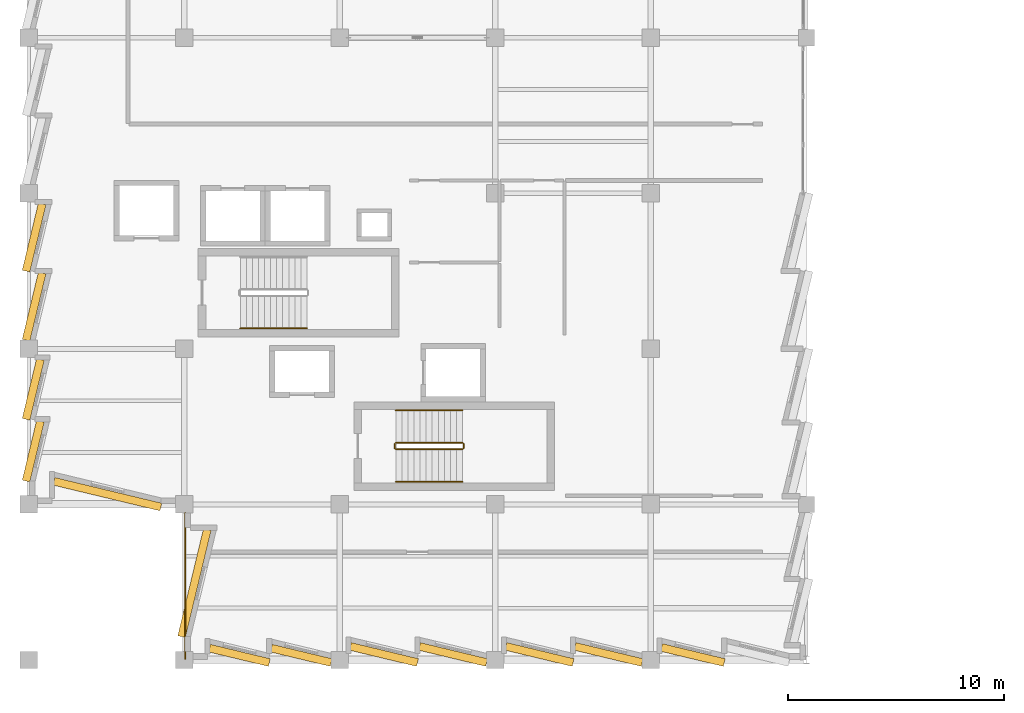
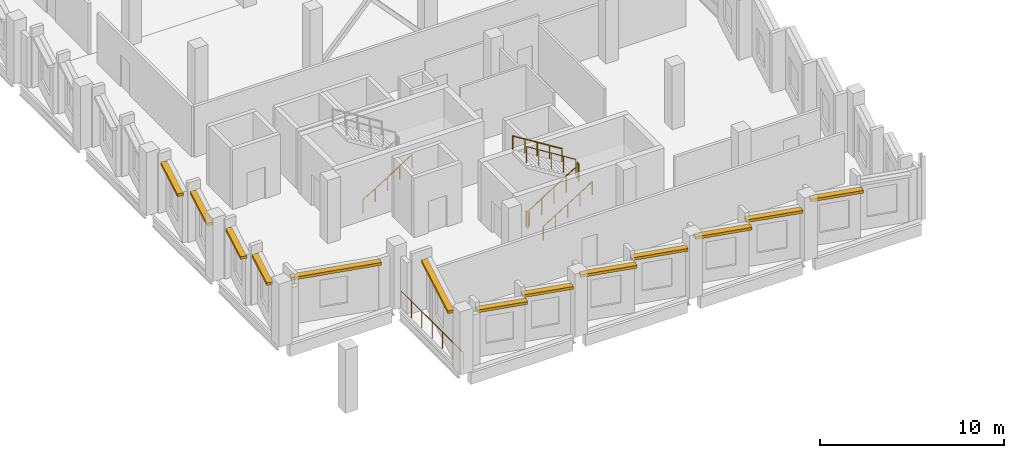
# One storey, part 81 of 94: 13 shading devices, 8 railings.
"""IFC4 building model written with IfcOpenShell, lengths in metres."""

import ifcopenshell
import ifcopenshell.guid

model = None  # the IFC model being written
_history = None  # IfcOwnerHistory: only IFC2X3 demands one
_inside = {}  # id of a spatial element -> (the spatial element, [elements in it])
_under = {}  # id of a project, library or spatial element -> (it, [spatial elements below it])
_declared = {}  # id of a project -> (the project, [libraries it declares])
_typed = {}  # id of a type object -> (the type object, [elements of that type])
_made_of = {}  # id of a material, layer set ... -> (it, [elements and type objects made of it])


def new_model(schema):
    """Start an empty IFC model of exactly this schema.

    Asked for "IFC4X3", IfcOpenShell would pick the latest addendum, in which some entities
    have other attributes; the version numbers below select the first issue.
    IFC2X3 requires an IfcOwnerHistory on every rooted entity: one is made here for all.
    """
    global model, _history
    if schema == "IFC4X3":
        model = ifcopenshell.file(schema_version=(4, 3, 0, 0))
    else:
        model = ifcopenshell.file(schema=schema)
    _inside.clear()
    _under.clear()
    _declared.clear()
    _typed.clear()
    _made_of.clear()
    _history = None
    if model.schema == "IFC2X3":
        org = make("IfcOrganization", Name="unknown")
        user = make(
            "IfcPersonAndOrganization",
            ThePerson=make("IfcPerson", FamilyName="unknown"),
            TheOrganization=org,
        )
        app = make(
            "IfcApplication",
            ApplicationDeveloper=org,
            Version="unknown",
            ApplicationFullName="unknown",
            ApplicationIdentifier="unknown",
        )
        _history = make(
            "IfcOwnerHistory",
            OwningUser=user,
            OwningApplication=app,
            ChangeAction="ADDED",
            CreationDate=0,
        )
    return model


def make(cls, **values):
    """One entity of the class cls with the attributes given. An attribute that is None is left unset."""
    return model.create_entity(
        cls, **{name: value for name, value in values.items() if value is not None}
    )


def rooted(cls, **values):
    """An entity with a GlobalId (a new one), such as an element, a storey or a relation."""
    return make(cls, GlobalId=ifcopenshell.guid.new(), OwnerHistory=_history, **values)


def si_unit(unit_type, name, prefix=None):
    """IfcSIUnit, for example si_unit("LENGTHUNIT", "METRE", prefix="MILLI")."""
    return make("IfcSIUnit", UnitType=unit_type, Prefix=prefix, Name=name)


def assignment(units):
    """IfcUnitAssignment: the units of a project."""
    return None if units is None else make("IfcUnitAssignment", Units=units)


def point(xyz):
    """IfcCartesianPoint."""
    return None if xyz is None else make("IfcCartesianPoint", Coordinates=xyz)


def direction(xyz):
    """IfcDirection."""
    return None if xyz is None else make("IfcDirection", DirectionRatios=xyz)


def frame(location, z_axis=None, x_axis=None):
    """IfcAxis2Placement3D, a coordinate frame: its origin and axes. An axis left out is left unset."""
    return make(
        "IfcAxis2Placement3D",
        Location=point(location),
        Axis=direction(z_axis),
        RefDirection=direction(x_axis),
    )


def frame_2d(location, x_axis=None):
    """IfcAxis2Placement2D, a coordinate frame in the plane: its origin and x axis."""
    return make(
        "IfcAxis2Placement2D", Location=point(location), RefDirection=direction(x_axis)
    )


def origin():
    """The frame at (0, 0, 0) with its axes left unset."""
    return frame((0.0, 0.0, 0.0))


def origin_2d():
    """The frame at (0, 0) in the plane with its x axis left unset."""
    return frame_2d((0.0, 0.0))


def place(relative_to, where):
    """IfcLocalPlacement: puts the frame where relative to a parent placement (None: the world)."""
    return make(
        "IfcLocalPlacement", PlacementRelTo=relative_to, RelativePlacement=where
    )


def context(
    kind, dimensions, precision=None, world=None, true_north=None, identifier=None
):
    """IfcGeometricRepresentationContext, for example the 3D "Model" context."""
    return make(
        "IfcGeometricRepresentationContext",
        ContextIdentifier=identifier,
        ContextType=kind,
        CoordinateSpaceDimension=dimensions,
        Precision=precision,
        WorldCoordinateSystem=world,
        TrueNorth=true_north,
    )


def subcontext(parent, identifier, kind, view, scale=None):
    """IfcGeometricRepresentationSubContext, for example "Body" below "Model"."""
    return make(
        "IfcGeometricRepresentationSubContext",
        ContextIdentifier=identifier,
        ContextType=kind,
        ParentContext=parent,
        TargetScale=scale,
        TargetView=view,
    )


def project(units=None, contexts=None):
    """IfcProject with its units and contexts."""
    return rooted(
        "IfcProject",
        Name="project",
        RepresentationContexts=contexts,
        UnitsInContext=assignment(units),
    )


def spatial(cls, under=None, at=None, **own):
    """A site, building, storey or space (cls), placed at a placement, below another one or the project."""
    s = rooted(cls, ObjectPlacement=at, **own)
    if under is not None:
        _under.setdefault(under.id(), (under, []))[1].append(s)
    return s


def profile(cls, at=None, kind="AREA", **sizes):
    """A parametric profile (cls). Its sizes go by their IFC names, for example OverallWidth=200.0."""
    return make(cls, ProfileType=kind, Position=at, **sizes)


def rectangle(**sizes):
    """IfcRectangleProfileDef."""
    return profile("IfcRectangleProfileDef", **sizes)


def circle(**sizes):
    """IfcCircleProfileDef."""
    return profile("IfcCircleProfileDef", **sizes)


def extrude(swept, where, along, depth):
    """IfcExtrudedAreaSolid: the profile swept, set in the frame where, extruded along a direction by depth."""
    return make(
        "IfcExtrudedAreaSolid",
        SweptArea=swept,
        Position=where,
        ExtrudedDirection=direction(along),
        Depth=depth,
    )


def shape(context_of_items, identifier, shape_type, items):
    """IfcShapeRepresentation: the items that make up one representation, for example the "Body"."""
    return make(
        "IfcShapeRepresentation",
        ContextOfItems=context_of_items,
        RepresentationIdentifier=identifier,
        RepresentationType=shape_type,
        Items=items,
    )


def material(Name=None, Category=None):
    """IfcMaterial."""
    return make("IfcMaterial", Name=Name, Category=Category)


def layer(
    of_material, thickness, ventilated=None, Name=None, Category=None, Priority=None
):
    """IfcMaterialLayer: one layer of a wall or slab, of a material (None: an air gap)."""
    return make(
        "IfcMaterialLayer",
        Material=of_material,
        LayerThickness=thickness,
        IsVentilated=ventilated,
        Name=Name,
        Category=Category,
        Priority=Priority,
    )


def layer_set(layers, Name=None):
    """IfcMaterialLayerSet."""
    return make("IfcMaterialLayerSet", MaterialLayers=layers, LayerSetName=Name)


def made_of(thing, what):
    """Note that an element or type object is made of a material, layer set ...; save() writes the relation."""
    if what is not None:
        _made_of.setdefault(what.id(), (what, []))[1].append(thing)
    return thing


def type_object(cls, material=None, **own):
    """A type object (cls), such as IfcWallType, which elements share."""
    return made_of(rooted(cls, **own), material)


def element(
    cls,
    number,
    at=None,
    inside=None,
    cuts=None,
    type_object=None,
    material=None,
    context=None,
    identifier="Body",
    shape_type=None,
    held_by="IfcProductDefinitionShape",
    body=None,
    shapes=None,
    **own,
):
    """One element of the class cls, such as IfcWall. Its Tag is "e" and its number.

    at: its placement. inside: the storey or other place that contains it. cuts: it is an
    opening in that element (IfcRelVoidsElement). A single representation is given by context,
    identifier, shape_type and body (its items); several are given by shapes. held_by: the class
    of the entity that holds the representations. save() writes the other relations.
    """
    e = rooted(cls, Tag="e%d" % number, ObjectPlacement=at, **own)
    if body is not None:
        shapes = [shape(context, identifier, shape_type, body)]
    if shapes is not None:
        e.Representation = make(held_by, Representations=shapes)
    if inside is not None:
        _inside.setdefault(inside.id(), (inside, []))[1].append(e)
    if cuts is not None:
        rooted(
            "IfcRelVoidsElement", RelatingBuildingElement=cuts, RelatedOpeningElement=e
        )
    if type_object is not None:
        _typed.setdefault(type_object.id(), (type_object, []))[1].append(e)
    return made_of(e, material)


def aggregate(whole, parts):
    """IfcRelAggregates: a whole, such as a stair, and the parts it consists of."""
    return rooted("IfcRelAggregates", RelatingObject=whole, RelatedObjects=parts)


def save(model, path):
    """Write the relations noted so far, then the file.

    IfcRelAggregates (storeys below a building ...), IfcRelContainedInSpatialStructure (elements
    in a storey), IfcRelDefinesByType, IfcRelAssociatesMaterial and IfcRelDeclares: one each for
    every whole, place, type object, material and project.
    """
    for whole, parts in _under.values():
        aggregate(whole, parts)
    for where, things in _inside.values():
        rooted(
            "IfcRelContainedInSpatialStructure",
            RelatedElements=things,
            RelatingStructure=where,
        )
    for kind, things in _typed.values():
        rooted("IfcRelDefinesByType", RelatedObjects=things, RelatingType=kind)
    for what, things in _made_of.values():
        rooted("IfcRelAssociatesMaterial", RelatedObjects=things, RelatingMaterial=what)
    for by, libraries in _declared.values():
        rooted("IfcRelDeclares", RelatingContext=by, RelatedDefinitions=libraries)
    model.write(path)


model = new_model("IFC4")

# Units and contexts
model_context = context("Model", 3, precision=1e-05, world=origin(), true_north=direction((0.0, 1.0)))
body_context = subcontext(model_context, "Body", "Model", "MODEL_VIEW")
ifc_project = project(units=[si_unit("LENGTHUNIT", "METRE"), si_unit("AREAUNIT", "SQUARE_METRE"), si_unit("VOLUMEUNIT", "CUBIC_METRE"), si_unit("PLANEANGLEUNIT", "RADIAN"), si_unit("MASSUNIT", "GRAM", prefix="KILO")], contexts=[model_context])

# Site, building, storey
site_placement = place(None, origin())
site = spatial("IfcSite", under=ifc_project, at=site_placement, CompositionType="ELEMENT")
building_placement = place(site_placement, origin())
building = spatial("IfcBuilding", under=site, at=building_placement, Name="Kalmorath City Hall", CompositionType="ELEMENT")
storey_placement = place(building_placement, frame((0.0, 0.0, 14.699951171875)))
storey = spatial("IfcBuildingStorey", under=building, at=storey_placement, Name="L03", CompositionType="ELEMENT", Elevation=14.699951171875)

# Railing
ifc_material_1 = material(Name="Stainless steel and laminated glass", Category="steel")
railing_type_1 = type_object("IfcRailingType", Name="Outdoor terrace balustrade 1120", PredefinedType="BALUSTRADE", material=ifc_material_1)
railing_1_placement = place(storey_placement, frame((7.25, 0.050048828125, 0.0)))
element("IfcRailing", 1, at=railing_1_placement, inside=storey, type_object=railing_type_1, Name="L03 Southwest Overlook Balustrade #1", PredefinedType="BALUSTRADE", context=body_context, shape_type="SweptSolid", body=[
    extrude(circle(Radius=0.02392578125, at=origin_2d()), frame((0.0, 0.0, 1.09619140625), z_axis=(0.0, 1.0, 0.0), x_axis=(-1.0, 0.0, 0.0)), (0.0, 0.0, 1.0), 6.739990234375),
    extrude(circle(Radius=0.02099609375, at=origin_2d()), origin(), (0.0, 0.0, 1.0), 1.072021484375),
    extrude(circle(Radius=0.02099609375, at=origin_2d()), frame((0.0, 1.123291015625, 0.0)), (0.0, 0.0, 1.0), 1.072021484375),
    extrude(circle(Radius=0.02099609375, at=origin_2d()), frame((0.0, 2.24658203125, 0.0)), (0.0, 0.0, 1.0), 1.072021484375),
    extrude(circle(Radius=0.02099609375, at=origin_2d()), frame((0.0, 3.3701171875, 0.0)), (0.0, 0.0, 1.0), 1.072021484375),
    extrude(circle(Radius=0.02099609375, at=origin_2d()), frame((0.0, 4.493408203125, 0.0)), (0.0, 0.0, 1.0), 1.072021484375),
    extrude(circle(Radius=0.02099609375, at=origin_2d()), frame((0.0, 5.61669921875, 0.0)), (0.0, 0.0, 1.0), 1.072021484375),
    extrude(circle(Radius=0.02099609375, at=origin_2d()), frame((0.0, 6.739990234375, 0.0)), (0.0, 0.0, 1.0), 1.072021484375),
])

# Shading devices
ifc_material_2 = material(Name="Precast concrete C40/50", Category="concrete")
ifc_layer = layer(ifc_material_2, 0.179931640625)
ifc_layer_set = layer_set([ifc_layer], Name="Precast concrete C40/50")
shading_device_type = type_object("IfcShadingDeviceType", Name="Precast sawtooth brow sunshade 350", PredefinedType="USERDEFINED", material=ifc_layer_set)
for number, where, z_axis, x_axis, name in (
    (2, (0.212158203125, 9.664306640625, 3.15625), (0.0, 0.0, 1.0), (0.233445363856, 0.972369920398, 0.0), "L03 precast sawtooth hood #284"),
    (3, (0.212158203125, 12.523193359375, 3.15625), (0.0, 0.0, 1.0), (0.233445363856, 0.972369920398, 0.0), "L03 precast sawtooth hood #285"),
):
    element("IfcShadingDevice", number, at=place(storey_placement, frame(where, z_axis=z_axis, x_axis=x_axis)), inside=storey, type_object=shading_device_type, Name=name, ObjectType="SUNSHADE", PredefinedType="USERDEFINED", context=body_context, shape_type="SweptSolid", body=[
        extrude(rectangle(XDim=2.84521484375, YDim=0.360107421875, at=origin_2d()), origin(), (0.0, 0.0, 1.0), 0.179931640625),
    ])
for number, where, z_axis, x_axis, name in (
    (4, (0.2529296875, 16.354248046875, 3.15625), (0.0, 0.0, 1.0), (0.233445363856, 0.972369920398, 0.0), "L03 precast sawtooth hood #286"),
    (5, (0.2529296875, 19.55322265625, 3.15625), (0.0, 0.0, 1.0), (0.233445363856, 0.972369920398, 0.0), "L03 precast sawtooth hood #287"),
):
    element("IfcShadingDevice", number, at=place(storey_placement, frame(where, z_axis=z_axis, x_axis=x_axis)), inside=storey, type_object=shading_device_type, Name=name, ObjectType="SUNSHADE", PredefinedType="USERDEFINED", context=body_context, shape_type="SweptSolid", body=[
        extrude(rectangle(XDim=3.19482421875, YDim=0.360107421875, at=origin_2d()), origin(), (0.0, 0.0, 1.0), 0.179931640625),
    ])
shading_device_placement = place(storey_placement, frame((30.744873046875, 0.228515625, 3.15625), z_axis=(0.0, 0.0, 1.0), x_axis=(-0.972365845859, 0.233462334877, 0.0)))
element("IfcShadingDevice", 6, at=shading_device_placement, inside=storey, type_object=shading_device_type, Name="L03 precast sawtooth hood #356", ObjectType="SUNSHADE", PredefinedType="USERDEFINED", context=body_context, shape_type="SweptSolid", body=[
    extrude(rectangle(XDim=2.985595703125, YDim=0.360107421875, at=origin_2d()), origin(), (0.0, 0.0, 1.0), 0.179931640625),
])
for number, where, z_axis, x_axis, name in (
    (7, (26.845703125, 0.2529296875, 3.15625), (0.0, 0.0, 1.0), (-0.972369920398, 0.233445363856, 0.0), "L03 precast sawtooth hood #357"),
    (8, (23.646728515625, 0.2529296875, 3.15625), (0.0, 0.0, 1.0), (-0.972369920398, 0.233445363856, 0.0), "L03 precast sawtooth hood #358"),
    (9, (19.645751953125, 0.2529296875, 3.15625), (0.0, 0.0, 1.0), (-0.972369920398, 0.233445363856, 0.0), "L03 precast sawtooth hood #359"),
    (10, (16.44677734375, 0.2529296875, 3.15625), (0.0, 0.0, 1.0), (-0.972369920398, 0.233445363856, 0.0), "L03 precast sawtooth hood #360"),
):
    element("IfcShadingDevice", number, at=place(storey_placement, frame(where, z_axis=z_axis, x_axis=x_axis)), inside=storey, type_object=shading_device_type, Name=name, ObjectType="SUNSHADE", PredefinedType="USERDEFINED", context=body_context, shape_type="SweptSolid", body=[
        extrude(rectangle(XDim=3.19482421875, YDim=0.360107421875, at=origin_2d()), origin(), (0.0, 0.0, 1.0), 0.179931640625),
    ])
for number, where, z_axis, x_axis, name in (
    (11, (12.61572265625, 0.212158203125, 3.15625), (0.0, 0.0, 1.0), (-0.972369920398, 0.233445363856, 0.0), "L03 precast sawtooth hood #361"),
    (12, (9.756591796875, 0.212158203125, 3.15625), (0.0, 0.0, 1.0), (-0.972369920398, 0.233445363856, 0.0), "L03 precast sawtooth hood #362"),
):
    element("IfcShadingDevice", number, at=place(storey_placement, frame(where, z_axis=z_axis, x_axis=x_axis)), inside=storey, type_object=shading_device_type, Name=name, ObjectType="SUNSHADE", PredefinedType="USERDEFINED", context=body_context, shape_type="SweptSolid", body=[
        extrude(rectangle(XDim=2.84521484375, YDim=0.360107421875, at=origin_2d()), origin(), (0.0, 0.0, 1.0), 0.179931640625),
    ])
for number, where, z_axis, x_axis, name in (
    (13, (7.673583984375, 3.5537109375, 3.14208984375), (0.0, 0.0, 1.0), (0.233445363856, 0.972369920398, 0.0), "L03 precast sawtooth hood #363"),
    (14, (3.646240234375, 7.673583984375, 3.14208984375), (0.0, 0.0, 1.0), (-0.972369920398, 0.233445363856, 0.0), "L03 precast sawtooth hood #364"),
):
    element("IfcShadingDevice", number, at=place(storey_placement, frame(where, z_axis=z_axis, x_axis=x_axis)), inside=storey, type_object=shading_device_type, Name=name, ObjectType="SUNSHADE", PredefinedType="USERDEFINED", context=body_context, shape_type="SweptSolid", body=[
        extrude(rectangle(XDim=5.086181640625, YDim=0.360107421875, at=origin_2d()), origin(), (0.0, 0.0, 1.0), 0.179931640625),
    ])

# Railings
ifc_material_3 = material(Name="Painted steel guardrail", Category="steel")
railing_type_2 = type_object("IfcRailingType", Name="Protected stair guardrail 1100", PredefinedType="GUARDRAIL", material=ifc_material_3)
railing_2_placement = place(storey_placement, frame((17.0, 9.75, 0.175048828125)))
element("IfcRailing", 15, at=railing_2_placement, inside=storey, type_object=railing_type_2, Name="L03 ST-2 stair guard 1", PredefinedType="GUARDRAIL", context=body_context, shape_type="SweptSolid", body=[
    extrude(circle(Radius=0.02392578125, at=origin_2d()), frame((0.0, 0.0, 1.076171875), z_axis=(0.847998304005, 0.0, 0.529998940003), x_axis=(0.0, 1.0, 0.0)), (0.0, 0.0, 1.0), 3.632080078125),
    extrude(circle(Radius=0.02099609375, at=origin_2d()), origin(), (0.0, 0.0, 1.0), 1.052001953125),
    extrude(circle(Radius=0.02099609375, at=origin_2d()), frame((0.77001953125, 0.0, 0.481201171875)), (0.0, 0.0, 1.0), 1.052001953125),
    extrude(circle(Radius=0.02099609375, at=origin_2d()), frame((1.5400390625, 0.0, 0.96240234375)), (0.0, 0.0, 1.0), 1.052001953125),
    extrude(circle(Radius=0.02099609375, at=origin_2d()), frame((2.31005859375, 0.0, 1.44384765625)), (0.0, 0.0, 1.0), 1.052001953125),
    extrude(circle(Radius=0.02099609375, at=origin_2d()), frame((3.080078125, 0.0, 1.925048828125)), (0.0, 0.0, 1.0), 1.052001953125),
])
railing_3_placement = place(storey_placement, frame((20.1298828125, 9.800048828125, 2.10009765625)))
element("IfcRailing", 16, at=railing_3_placement, inside=storey, type_object=railing_type_2, Name="L03 ST-2 stair guard 2", PredefinedType="GUARDRAIL", context=body_context, shape_type="SweptSolid", body=[
    extrude(circle(Radius=0.02392578125, at=origin_2d()), frame((0.0, 0.0, 1.076171875), z_axis=(0.0, 1.0, 0.0), x_axis=(-1.0, 0.0, 0.0)), (0.0, 0.0, 1.0), 0.199951171875),
    extrude(circle(Radius=0.02099609375, at=origin_2d()), origin(), (0.0, 0.0, 1.0), 1.052001953125),
    extrude(circle(Radius=0.02099609375, at=origin_2d()), frame((0.0, 0.199951171875, 0.0)), (0.0, 0.0, 1.0), 1.052001953125),
])
railing_4_placement = place(storey_placement, frame((20.080078125, 10.050048828125, 2.275146484375)))
element("IfcRailing", 17, at=railing_4_placement, inside=storey, type_object=railing_type_2, Name="L03 ST-2 stair guard 3", PredefinedType="GUARDRAIL", context=body_context, shape_type="SweptSolid", body=[
    extrude(circle(Radius=0.02392578125, at=origin_2d()), frame((0.0, 0.0, 1.076171875), z_axis=(-0.848028513186, 0.0, 0.529950602248), x_axis=(0.0, -1.0, 0.0)), (0.0, 0.0, 1.0), 3.632080078125),
    extrude(circle(Radius=0.02099609375, at=origin_2d()), origin(), (0.0, 0.0, 1.0), 1.052001953125),
    extrude(circle(Radius=0.02099609375, at=origin_2d()), frame((-0.77001953125, 0.0, 0.481201171875)), (0.0, 0.0, 1.0), 1.052001953125),
    extrude(circle(Radius=0.02099609375, at=origin_2d()), frame((-1.5400390625, 0.0, 0.96240234375)), (0.0, 0.0, 1.0), 1.052001953125),
    extrude(circle(Radius=0.02099609375, at=origin_2d()), frame((-2.31005859375, 0.0, 1.443603515625)), (0.0, 0.0, 1.0), 1.052001953125),
    extrude(circle(Radius=0.02099609375, at=origin_2d()), frame((-3.080078125, 0.0, 1.9248046875)), (0.0, 0.0, 1.0), 1.052001953125),
])
railing_5_placement = place(storey_placement, frame((16.949951171875, 9.800048828125, 0.0)))
element("IfcRailing", 18, at=railing_5_placement, inside=storey, type_object=railing_type_2, Name="L03 ST-2 stair guard 4", PredefinedType="GUARDRAIL", context=body_context, shape_type="SweptSolid", body=[
    extrude(circle(Radius=0.02392578125, at=origin_2d()), frame((0.0, 0.0, 1.076171875), z_axis=(0.0, 1.0, 0.0), x_axis=(-1.0, 0.0, 0.0)), (0.0, 0.0, 1.0), 0.199951171875),
    extrude(circle(Radius=0.02099609375, at=origin_2d()), origin(), (0.0, 0.0, 1.0), 1.052001953125),
    extrude(circle(Radius=0.02099609375, at=origin_2d()), frame((0.0, 0.199951171875, 0.0)), (0.0, 0.0, 1.0), 1.052001953125),
])
ifc_material_4 = material(Name="Brushed stainless steel handrail", Category="steel")
railing_type_3 = type_object("IfcRailingType", Name="Stair pitch handrail 900", PredefinedType="HANDRAIL", material=ifc_material_4)
railing_6_placement = place(storey_placement, frame((9.800048828125, 15.35009765625, 0.175048828125)))
element("IfcRailing", 19, at=railing_6_placement, inside=storey, type_object=railing_type_3, Name="L03 ST-1 stair handrail 1", PredefinedType="HANDRAIL", context=body_context, shape_type="SweptSolid", body=[
    extrude(circle(Radius=0.02392578125, at=origin_2d()), frame((0.0, 0.0, 0.8759765625), z_axis=(0.847979421464, 0.0, 0.530029150871), x_axis=(0.0, 1.0, 0.0)), (0.0, 0.0, 1.0), 3.632080078125),
    extrude(circle(Radius=0.02099609375, at=origin_2d()), origin(), (0.0, 0.0, 1.0), 0.851806640625),
    extrude(circle(Radius=0.02099609375, at=origin_2d()), frame((0.77001953125, 0.0, 0.481201171875)), (0.0, 0.0, 1.0), 0.851806640625),
    extrude(circle(Radius=0.02099609375, at=origin_2d()), frame((1.5400390625, 0.0, 0.96240234375)), (0.0, 0.0, 1.0), 0.851806640625),
    extrude(circle(Radius=0.02099609375, at=origin_2d()), frame((2.309814453125, 0.0, 1.44384765625)), (0.0, 0.0, 1.0), 0.851806640625),
    extrude(circle(Radius=0.02099609375, at=origin_2d()), frame((3.079833984375, 0.0, 1.925048828125)), (0.0, 0.0, 1.0), 0.851806640625),
])
railing_7_placement = place(storey_placement, frame((17.0, 8.25, 0.175048828125)))
element("IfcRailing", 20, at=railing_7_placement, inside=storey, type_object=railing_type_3, Name="L03 ST-2 stair handrail 1", PredefinedType="HANDRAIL", context=body_context, shape_type="SweptSolid", body=[
    extrude(circle(Radius=0.02392578125, at=origin_2d()), frame((0.0, 0.0, 0.8759765625), z_axis=(0.847998304005, 0.0, 0.529998940003), x_axis=(0.0, 1.0, 0.0)), (0.0, 0.0, 1.0), 3.632080078125),
    extrude(circle(Radius=0.02099609375, at=origin_2d()), origin(), (0.0, 0.0, 1.0), 0.851806640625),
    extrude(circle(Radius=0.02099609375, at=origin_2d()), frame((0.77001953125, 0.0, 0.481201171875)), (0.0, 0.0, 1.0), 0.851806640625),
    extrude(circle(Radius=0.02099609375, at=origin_2d()), frame((1.5400390625, 0.0, 0.96240234375)), (0.0, 0.0, 1.0), 0.851806640625),
    extrude(circle(Radius=0.02099609375, at=origin_2d()), frame((2.31005859375, 0.0, 1.44384765625)), (0.0, 0.0, 1.0), 0.851806640625),
    extrude(circle(Radius=0.02099609375, at=origin_2d()), frame((3.080078125, 0.0, 1.925048828125)), (0.0, 0.0, 1.0), 0.851806640625),
])
railing_8_placement = place(storey_placement, frame((20.080078125, 11.550048828125, 2.275146484375)))
element("IfcRailing", 21, at=railing_8_placement, inside=storey, type_object=railing_type_3, Name="L03 ST-2 stair handrail 2", PredefinedType="HANDRAIL", context=body_context, shape_type="SweptSolid", body=[
    extrude(circle(Radius=0.02392578125, at=origin_2d()), frame((0.0, 0.0, 0.8759765625), z_axis=(-0.848028513186, 0.0, 0.529950602248), x_axis=(0.0, -1.0, 0.0)), (0.0, 0.0, 1.0), 3.632080078125),
    extrude(circle(Radius=0.02099609375, at=origin_2d()), origin(), (0.0, 0.0, 1.0), 0.851806640625),
    extrude(circle(Radius=0.02099609375, at=origin_2d()), frame((-0.77001953125, 0.0, 0.481201171875)), (0.0, 0.0, 1.0), 0.851806640625),
    extrude(circle(Radius=0.02099609375, at=origin_2d()), frame((-1.5400390625, 0.0, 0.96240234375)), (0.0, 0.0, 1.0), 0.851806640625),
    extrude(circle(Radius=0.02099609375, at=origin_2d()), frame((-2.31005859375, 0.0, 1.443603515625)), (0.0, 0.0, 1.0), 0.851806640625),
    extrude(circle(Radius=0.02099609375, at=origin_2d()), frame((-3.080078125, 0.0, 1.9248046875)), (0.0, 0.0, 1.0), 0.851806640625),
])

save(model, "model.ifc")
